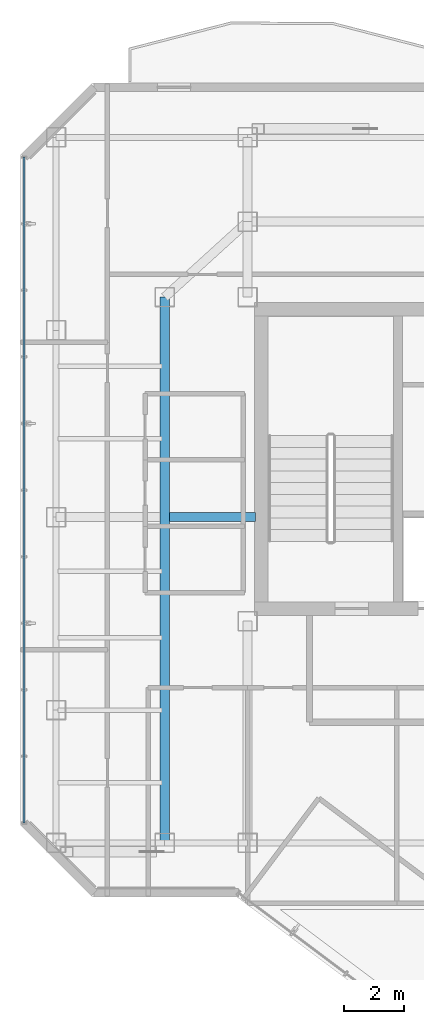
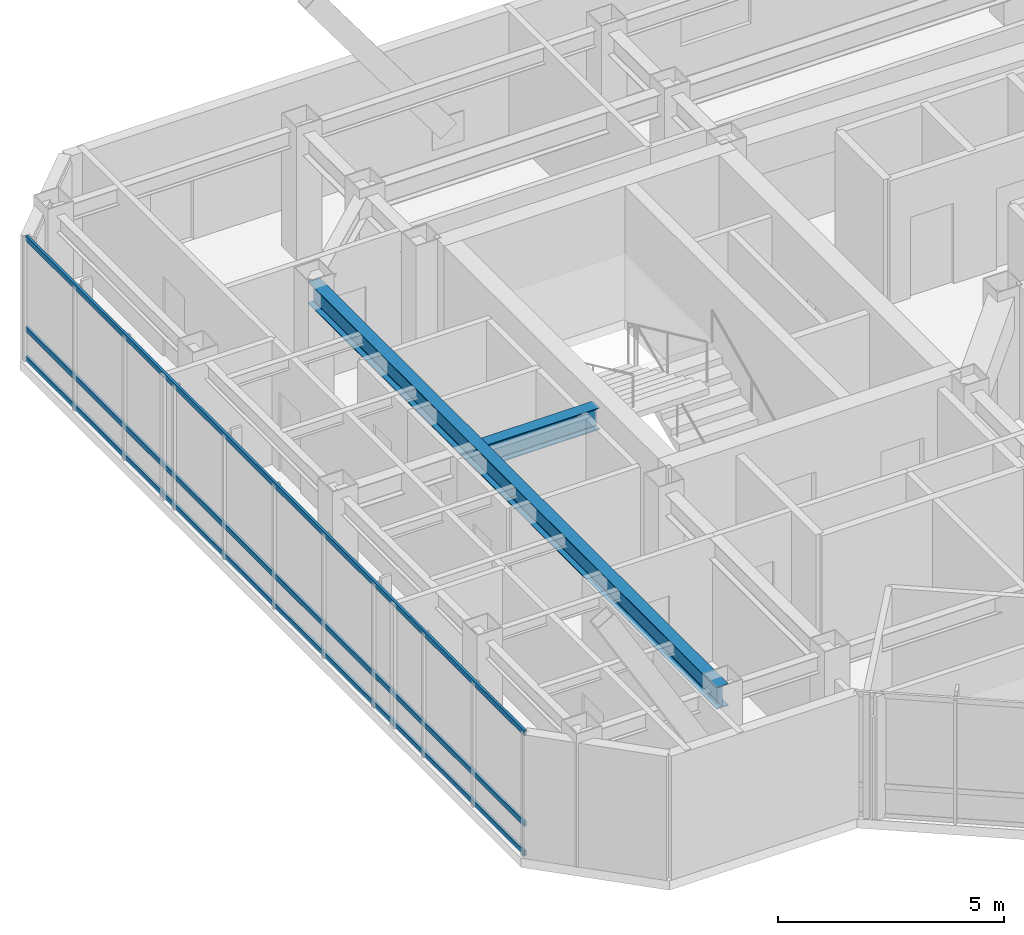
# One storey, part 9 of 22: 3 members, 2 beams, 1 element without a shape of its own.
"""IFC4 building model written with IfcOpenShell, lengths in metres."""

from ifc_helpers import new_model, si_unit, direction, frame, origin, origin_2d, place, context, subcontext, project, spatial, hollow_rectangle, i_section, extrude, material, layer, layer_set, material_profile, profile_set, type_object, element, aggregate, save


model = new_model("IFC4")

# Units and contexts
model_context = context("Model", 3, precision=1e-05, world=origin(), true_north=direction((0.0, 1.0)))
body_context = subcontext(model_context, "Body", "Model", "MODEL_VIEW")
ifc_project = project(units=[si_unit("LENGTHUNIT", "METRE"), si_unit("AREAUNIT", "SQUARE_METRE"), si_unit("VOLUMEUNIT", "CUBIC_METRE"), si_unit("PLANEANGLEUNIT", "RADIAN"), si_unit("MASSUNIT", "GRAM", prefix="KILO")], contexts=[model_context])

# Site, building, storey
site_placement = place(None, origin())
site = spatial("IfcSite", under=ifc_project, at=site_placement, CompositionType="ELEMENT")
building_placement = place(site_placement, origin())
building = spatial("IfcBuilding", under=site, at=building_placement, Name="Hatsunagi Terrace Concourse", CompositionType="ELEMENT")
storey_placement = place(building_placement, frame((0.0, 0.0, 243.14990234375)))
storey = spatial("IfcBuildingStorey", under=building, at=storey_placement, Name="L64", CompositionType="ELEMENT", Elevation=243.14990234375)

# Curtain wall, members
ifc_material_1 = material(Name="Anodised Aluminium Alloy 6063-T5", Category="aluminium")
ifc_layer = layer(ifc_material_1, 0.199951171875)
ifc_layer_set = layer_set([ifc_layer], Name="OfficeZone2_CW04")
curtain_wall_type = type_object("IfcCurtainWallType", Name="OfficeZone2_CW04", PredefinedType="NOTDEFINED", material=ifc_layer_set)
curtain_wall_placement = place(storey_placement, origin())
curtain_wall = element("IfcCurtainWall", 1, at=curtain_wall_placement, inside=storey, type_object=curtain_wall_type, Name="Unitised Curtain Wall CW-04 CW-L64-08", PredefinedType="NOTDEFINED")
ifc_material_2 = material(Name="Anodised Aluminium Alloy 6063-T5", Category="aluminium")
ifc_material_profile_1 = material_profile(ifc_material_2, hollow_rectangle(XDim=0.06494140625, YDim=0.139892578125, WallThickness=0.00390625, at=origin_2d()), Name="ALU-TRN-140x65x4")
ifc_profile_set_1 = profile_set([ifc_material_profile_1], Name="Anodised Aluminium Alloy 6063-T5")
member_type = type_object("IfcMemberType", Name="CurtainWallTransom_140x65", PredefinedType="USERDEFINED", material=ifc_profile_set_1)
member_1_placement = place(storey_placement, frame((18.139892578125, 25.85791015625, 0.050048828125), z_axis=(0.0, 1.0, 0.0), x_axis=(-1.0, 0.0, 0.0)))
member_1 = element("IfcMember", 2, at=member_1_placement, type_object=member_type, Name="Curtain Wall Transom TRN-02", ObjectType="TRANSOM", PredefinedType="USERDEFINED", context=body_context, shape_type="SweptSolid", body=[
    extrude(hollow_rectangle(XDim=0.06494140625, YDim=0.139892578125, WallThickness=0.00390625, at=origin_2d()), origin(), (0.0, 0.0, 1.0), 22.083984375),
])
member_2_placement = place(storey_placement, frame((18.139892578125, 25.85791015625, 0.85009765625), z_axis=(0.0, 1.0, 0.0), x_axis=(-1.0, 0.0, 0.0)))
member_2 = element("IfcMember", 3, at=member_2_placement, type_object=member_type, Name="Curtain Wall Transom TRN-02", ObjectType="TRANSOM", PredefinedType="USERDEFINED", context=body_context, shape_type="SweptSolid", body=[
    extrude(hollow_rectangle(XDim=0.06494140625, YDim=0.139892578125, WallThickness=0.00390625, at=origin_2d()), origin(), (0.0, 0.0, 1.0), 22.083984375),
])
member_3_placement = place(storey_placement, frame((18.139892578125, 25.85791015625, 3.300048828125), z_axis=(0.0, 1.0, 0.0), x_axis=(-1.0, 0.0, 0.0)))
member_3 = element("IfcMember", 4, at=member_3_placement, type_object=member_type, Name="Curtain Wall Transom TRN-02", ObjectType="TRANSOM", PredefinedType="USERDEFINED", context=body_context, shape_type="SweptSolid", body=[
    extrude(hollow_rectangle(XDim=0.06494140625, YDim=0.139892578125, WallThickness=0.00390625, at=origin_2d()), origin(), (0.0, 0.0, 1.0), 22.083984375),
])
aggregate(curtain_wall, [member_1, member_2, member_3])

# Beams
ifc_material_3 = material(Name="Steel SN490B", Category="steel")
ifc_material_profile_2 = material_profile(ifc_material_3, i_section(OverallWidth=0.300048828125, OverallDepth=0.587890625, WebThickness=0.011962890625, FlangeThickness=0.02001953125, FilletRadius=0.01806640625, at=origin_2d()), Name="H-588x300x12x20")
ifc_profile_set_2 = profile_set([ifc_material_profile_2], Name="Steel SN490B")
beam_type = type_object("IfcBeamType", Name="OfficeHighGirder_H_588x300", PredefinedType="BEAM", material=ifc_profile_set_2)
beam_1_placement = place(storey_placement, frame((22.800048828125, 25.199951171875, 3.05615234375), z_axis=(0.0, 1.0, 0.0), x_axis=(-1.0, 0.0, 0.0)))
element("IfcBeam", 5, at=beam_1_placement, inside=storey, type_object=beam_type, Name="Beam G-06 BM-L64-CWNS", PredefinedType="BEAM", context=body_context, shape_type="SweptSolid", body=[
    extrude(i_section(OverallWidth=0.300048828125, OverallDepth=0.587890625, WebThickness=0.011962890625, FlangeThickness=0.02001953125, FilletRadius=0.01806640625, at=origin_2d()), origin(), (0.0, 0.0, 1.0), 18.10009765625),
])
beam_2_placement = place(storey_placement, frame((22.949951171875, 36.0, 3.05615234375), z_axis=(1.0, 0.0, 0.0), x_axis=(0.0, 1.0, 0.0)))
element("IfcBeam", 6, at=beam_2_placement, inside=storey, type_object=beam_type, Name="Beam G-06 BM-L64-EW-4", PredefinedType="BEAM", context=body_context, shape_type="SweptSolid", body=[
    extrude(i_section(OverallWidth=0.300048828125, OverallDepth=0.587890625, WebThickness=0.011962890625, FlangeThickness=0.02001953125, FilletRadius=0.01806640625, at=origin_2d()), origin(), (0.0, 0.0, 1.0), 2.860107421875),
])

save(model, "model.ifc")
